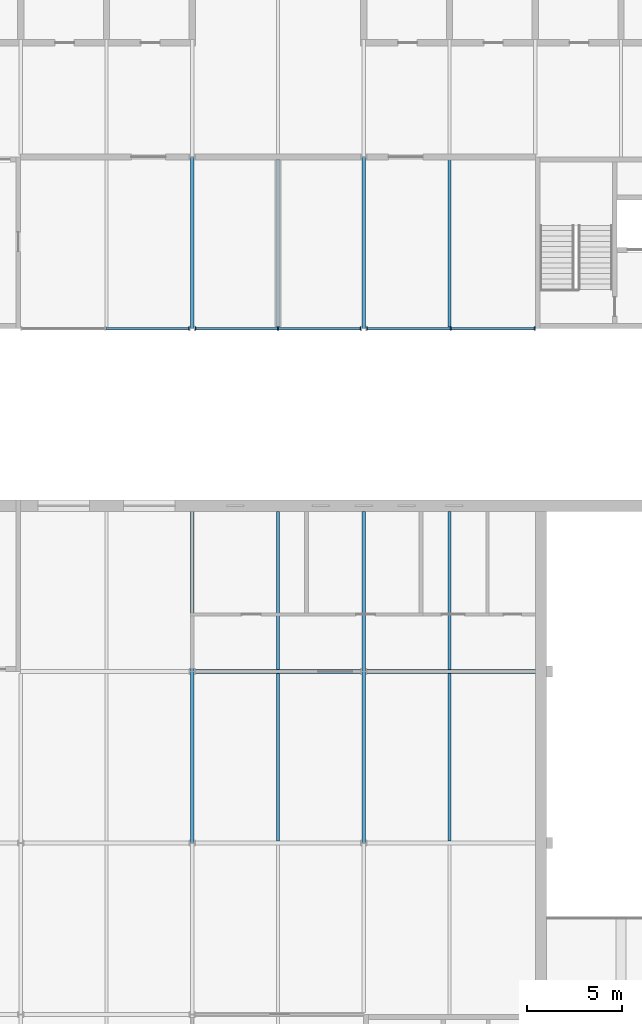
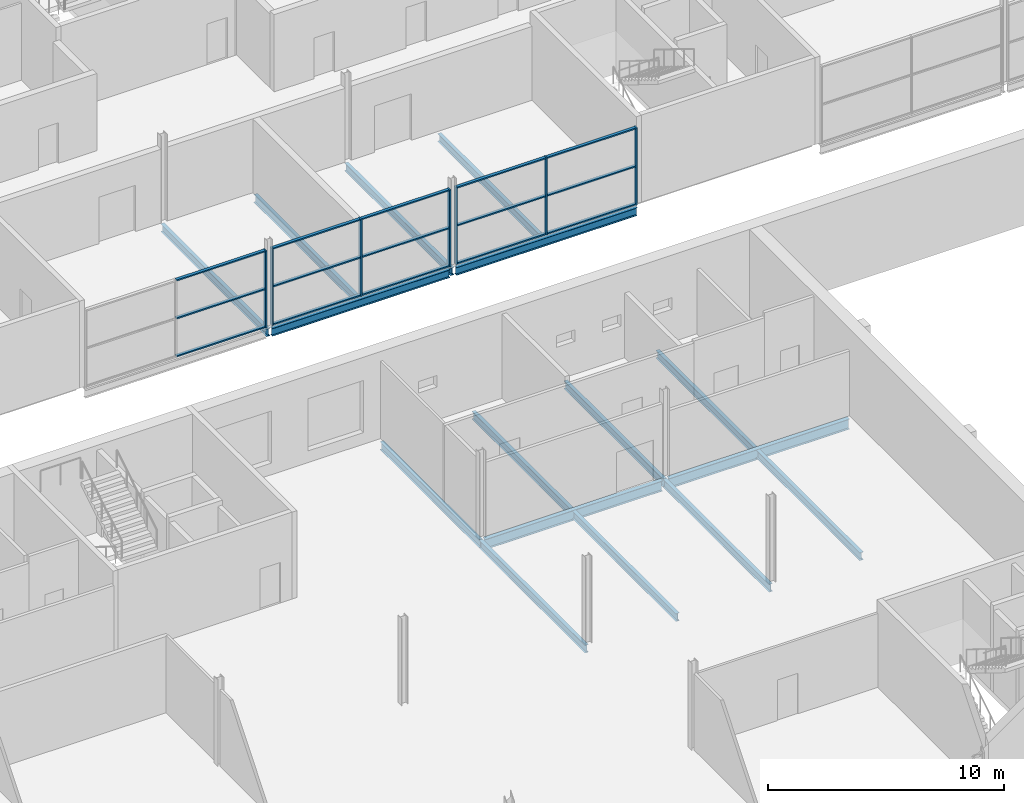
# One storey, part 46 of 97: 22 members, 16 beams, 3 elements without a shape of their own.
"""IFC4 building model written with IfcOpenShell, lengths in metres."""

from ifc_helpers import new_model, si_unit, direction, frame, origin, origin_2d, place, context, subcontext, project, spatial, rectangle, i_section, extrude, material, layer, layer_set, material_profile, profile_set, type_object, element, aggregate, save


model = new_model("IFC4")

# Units and contexts
model_context = context("Model", 3, precision=1e-05, world=origin(), true_north=direction((0.0, 1.0)))
body_context = subcontext(model_context, "Body", "Model", "MODEL_VIEW")
ifc_project = project(units=[si_unit("LENGTHUNIT", "METRE"), si_unit("AREAUNIT", "SQUARE_METRE"), si_unit("VOLUMEUNIT", "CUBIC_METRE"), si_unit("PLANEANGLEUNIT", "RADIAN"), si_unit("MASSUNIT", "GRAM", prefix="KILO")], contexts=[model_context])

# Site, building, storey
site_placement = place(None, origin())
site = spatial("IfcSite", under=ifc_project, at=site_placement, CompositionType="ELEMENT")
building_placement = place(site_placement, origin())
building = spatial("IfcBuilding", under=site, at=building_placement, Name="Corbel Yard City Hall", CompositionType="ELEMENT")
storey_placement = place(building_placement, frame((0.0, 0.0, 6.0)))
storey = spatial("IfcBuildingStorey", under=building, at=storey_placement, Name="L01", CompositionType="ELEMENT", Elevation=6.0)

# Beams
ifc_material_1 = material(Name="Steel Grade 300 (300 MPa yield)", Category="steel")
ifc_material_profile_1 = material_profile(ifc_material_1, i_section(OverallWidth=0.177978515625, OverallDepth=0.403076171875, WebThickness=0.007568359375, FlangeThickness=0.010986328125, at=origin_2d()), Name="410UB53.7")
ifc_profile_set_1 = profile_set([ifc_material_profile_1], Name="Steel Grade 300 (300 MPa yield)")
beam_type_1 = type_object("IfcBeamType", Name="Beam 410UB53.7", PredefinedType="BEAM", material=ifc_profile_set_1)
beam_1_placement = place(storey_placement, frame((99.0, 63.0078125, -0.3515625), z_axis=(0.0, 1.0, 0.0), x_axis=(-1.0, 0.0, 0.0)))
element("IfcBeam", 1, at=beam_1_placement, inside=storey, type_object=beam_type_1, Name="Beam 410UB53.7 SB6 L01floor", PredefinedType="BEAM", context=body_context, shape_type="SweptSolid", body=[
    extrude(i_section(OverallWidth=0.177978515625, OverallDepth=0.403076171875, WebThickness=0.007568359375, FlangeThickness=0.010986328125, at=origin_2d()), origin(), (0.0, 0.0, 1.0), 8.984375),
])
beam_2_placement = place(storey_placement, frame((99.0, 72.0078125, -0.3515625), z_axis=(0.0, 1.0, 0.0), x_axis=(-1.0, 0.0, 0.0)))
element("IfcBeam", 2, at=beam_2_placement, inside=storey, type_object=beam_type_1, Name="Beam 410UB53.7 SB6 L01floor", PredefinedType="BEAM", context=body_context, shape_type="SweptSolid", body=[
    extrude(i_section(OverallWidth=0.177978515625, OverallDepth=0.403076171875, WebThickness=0.007568359375, FlangeThickness=0.010986328125, at=origin_2d()), origin(), (0.0, 0.0, 1.0), 8.39208984375),
])
beam_3_placement = place(storey_placement, frame((99.0, 90.005859375, -0.3515625), z_axis=(0.0, 1.0, 0.0), x_axis=(-1.0, 0.0, 0.0)))
element("IfcBeam", 3, at=beam_3_placement, inside=storey, type_object=beam_type_1, Name="Beam 410UB53.7 SB6 L01floor", PredefinedType="BEAM", context=body_context, shape_type="SweptSolid", body=[
    extrude(i_section(OverallWidth=0.177978515625, OverallDepth=0.403076171875, WebThickness=0.007568359375, FlangeThickness=0.010986328125, at=origin_2d()), origin(), (0.0, 0.0, 1.0), 8.986328125),
])
beam_4_placement = place(storey_placement, frame((108.0, 63.0078125, -0.3515625), z_axis=(0.0, 1.0, 0.0), x_axis=(-1.0, 0.0, 0.0)))
element("IfcBeam", 4, at=beam_4_placement, inside=storey, type_object=beam_type_1, Name="Beam 410UB53.7 SB6 L01floor", PredefinedType="BEAM", context=body_context, shape_type="SweptSolid", body=[
    extrude(i_section(OverallWidth=0.177978515625, OverallDepth=0.403076171875, WebThickness=0.007568359375, FlangeThickness=0.010986328125, at=origin_2d()), origin(), (0.0, 0.0, 1.0), 8.984375),
])
beam_5_placement = place(storey_placement, frame((108.0, 72.0078125, -0.3515625), z_axis=(0.0, 1.0, 0.0), x_axis=(-1.0, 0.0, 0.0)))
element("IfcBeam", 5, at=beam_5_placement, inside=storey, type_object=beam_type_1, Name="Beam 410UB53.7 SB6 L01floor", PredefinedType="BEAM", context=body_context, shape_type="SweptSolid", body=[
    extrude(i_section(OverallWidth=0.177978515625, OverallDepth=0.403076171875, WebThickness=0.007568359375, FlangeThickness=0.010986328125, at=origin_2d()), origin(), (0.0, 0.0, 1.0), 8.39208984375),
])
beam_6_placement = place(storey_placement, frame((108.0, 90.005859375, -0.3515625), z_axis=(0.0, 1.0, 0.0), x_axis=(-1.0, 0.0, 0.0)))
element("IfcBeam", 6, at=beam_6_placement, inside=storey, type_object=beam_type_1, Name="Beam 410UB53.7 SB6 L01floor", PredefinedType="BEAM", context=body_context, shape_type="SweptSolid", body=[
    extrude(i_section(OverallWidth=0.177978515625, OverallDepth=0.403076171875, WebThickness=0.007568359375, FlangeThickness=0.010986328125, at=origin_2d()), origin(), (0.0, 0.0, 1.0), 8.986328125),
])
ifc_material_profile_2 = material_profile(ifc_material_1, i_section(OverallWidth=0.177978515625, OverallDepth=0.406005859375, WebThickness=0.0078125, FlangeThickness=0.0126953125, at=origin_2d()), Name="410UB59.7")
ifc_profile_set_2 = profile_set([ifc_material_profile_2], Name="Steel Grade 300 (300 MPa yield)")
beam_type_2 = type_object("IfcBeamType", Name="Edge beam 410UB59.7", PredefinedType="BEAM", material=ifc_profile_set_2)
beam_7_placement = place(storey_placement, frame((99.157470703125, 90.0, -0.35302734375), z_axis=(1.0, 0.0, 0.0), x_axis=(0.0, 1.0, 0.0)))
element("IfcBeam", 7, at=beam_7_placement, inside=storey, type_object=beam_type_2, Name="Edge beam 410UB59.7 EB2 L01floor", PredefinedType="BEAM", context=body_context, shape_type="SweptSolid", body=[
    extrude(i_section(OverallWidth=0.177978515625, OverallDepth=0.406005859375, WebThickness=0.0078125, FlangeThickness=0.0126953125, at=origin_2d()), origin(), (0.0, 0.0, 1.0), 8.68505859375),
])
beam_8_placement = place(storey_placement, frame((108.157470703125, 90.0, -0.35302734375), z_axis=(1.0, 0.0, 0.0), x_axis=(0.0, 1.0, 0.0)))
element("IfcBeam", 8, at=beam_8_placement, inside=storey, type_object=beam_type_2, Name="Edge beam 410UB59.7 EB2 L01floor", PredefinedType="BEAM", context=body_context, shape_type="SweptSolid", body=[
    extrude(i_section(OverallWidth=0.177978515625, OverallDepth=0.406005859375, WebThickness=0.0078125, FlangeThickness=0.0126953125, at=origin_2d()), origin(), (0.0, 0.0, 1.0), 8.842529296875),
])
ifc_material_profile_3 = material_profile(ifc_material_1, i_section(OverallWidth=0.208984375, OverallDepth=0.528076171875, WebThickness=0.009521484375, FlangeThickness=0.01318359375, at=origin_2d()), Name="530UB82.0")
ifc_profile_set_3 = profile_set([ifc_material_profile_3], Name="Steel Grade 300 (300 MPa yield)")
beam_type_3 = type_object("IfcBeamType", Name="Girder 530UB82.0", PredefinedType="BEAM", material=ifc_profile_set_3)
beam_9_placement = place(storey_placement, frame((99.16357421875, 72.0, -0.4140625), z_axis=(1.0, 0.0, 0.0), x_axis=(0.0, 1.0, 0.0)))
element("IfcBeam", 9, at=beam_9_placement, inside=storey, type_object=beam_type_3, Name="Girder 530UB82.0 GB3 L01floor", PredefinedType="BEAM", context=body_context, shape_type="SweptSolid", body=[
    extrude(i_section(OverallWidth=0.208984375, OverallDepth=0.528076171875, WebThickness=0.009521484375, FlangeThickness=0.01318359375, at=origin_2d()), origin(), (0.0, 0.0, 1.0), 8.6728515625),
])
beam_10_placement = place(storey_placement, frame((108.16357421875, 72.0, -0.4140625), z_axis=(1.0, 0.0, 0.0), x_axis=(0.0, 1.0, 0.0)))
element("IfcBeam", 10, at=beam_10_placement, inside=storey, type_object=beam_type_3, Name="Girder 530UB82.0 GB3 L01floor", PredefinedType="BEAM", context=body_context, shape_type="SweptSolid", body=[
    extrude(i_section(OverallWidth=0.208984375, OverallDepth=0.528076171875, WebThickness=0.009521484375, FlangeThickness=0.01318359375, at=origin_2d()), origin(), (0.0, 0.0, 1.0), 8.83642578125),
])

# Curtain wall, member
ifc_material_2 = material(Name="Aluminium extrusion", Category="aluminium")
ifc_layer = layer(ifc_material_2, 0.199951171875)
ifc_layer_set = layer_set([ifc_layer], Name="Aluminium extrusion")
curtain_wall_type = type_object("IfcCurtainWallType", Name="CW1", PredefinedType="USERDEFINED", material=ifc_layer_set)
curtain_wall_1_placement = place(storey_placement, origin())
curtain_wall_1 = element("IfcCurtainWall", 11, at=curtain_wall_1_placement, inside=storey, type_object=curtain_wall_type, Name="Curtain wall CW1 L01", ObjectType="CURTAIN WALL", PredefinedType="USERDEFINED")
ifc_material_profile_4 = material_profile(ifc_material_2, rectangle(XDim=0.199951171875, YDim=0.06494140625, at=origin_2d()), Name="200x65")
ifc_profile_set_4 = profile_set([ifc_material_profile_4], Name="Aluminium extrusion")
member_type_1 = type_object("IfcMemberType", Name="ML1", PredefinedType="MULLION", material=ifc_profile_set_4)
member_1_placement = place(storey_placement, frame((98.83740234375, 90.0, 0.0), z_axis=(0.0, 0.0, 1.0), x_axis=(0.0, 1.0, 0.0)))
member_1 = element("IfcMember", 12, at=member_1_placement, type_object=member_type_1, Name="CW1 mullion 3", PredefinedType="MULLION", context=body_context, shape_type="SweptSolid", body=[
    extrude(rectangle(XDim=0.199951171875, YDim=0.06494140625, at=origin_2d()), origin(), (0.0, 0.0, 1.0), 3.990966796875),
])

# Curtain wall, members
curtain_wall_2_placement = place(storey_placement, origin())
curtain_wall_2 = element("IfcCurtainWall", 13, at=curtain_wall_2_placement, inside=storey, type_object=curtain_wall_type, Name="Curtain wall CW1 L01", ObjectType="CURTAIN WALL", PredefinedType="USERDEFINED")
member_2_placement = place(storey_placement, frame((99.16259765625, 90.0, 0.0), z_axis=(0.0, 0.0, 1.0), x_axis=(0.0, 1.0, 0.0)))
member_2 = element("IfcMember", 14, at=member_2_placement, type_object=member_type_1, Name="CW1 mullion 1", PredefinedType="MULLION", context=body_context, shape_type="SweptSolid", body=[
    extrude(rectangle(XDim=0.199951171875, YDim=0.06494140625, at=origin_2d()), origin(), (0.0, 0.0, 1.0), 3.990966796875),
])
member_3_placement = place(storey_placement, frame((103.5, 90.0, 0.0), z_axis=(0.0, 0.0, 1.0), x_axis=(0.0, 1.0, 0.0)))
member_3 = element("IfcMember", 15, at=member_3_placement, type_object=member_type_1, Name="CW1 mullion 2", PredefinedType="MULLION", context=body_context, shape_type="SweptSolid", body=[
    extrude(rectangle(XDim=0.199951171875, YDim=0.06494140625, at=origin_2d()), origin(), (0.0, 0.0, 1.0), 3.990966796875),
])
member_4_placement = place(storey_placement, frame((107.83740234375, 90.0, 0.0), z_axis=(0.0, 0.0, 1.0), x_axis=(0.0, 1.0, 0.0)))
member_4 = element("IfcMember", 16, at=member_4_placement, type_object=member_type_1, Name="CW1 mullion 3", PredefinedType="MULLION", context=body_context, shape_type="SweptSolid", body=[
    extrude(rectangle(XDim=0.199951171875, YDim=0.06494140625, at=origin_2d()), origin(), (0.0, 0.0, 1.0), 3.990966796875),
])

curtain_wall_3_placement = place(storey_placement, origin())
curtain_wall_3 = element("IfcCurtainWall", 17, at=curtain_wall_3_placement, inside=storey, type_object=curtain_wall_type, Name="Curtain wall CW1 L01", ObjectType="CURTAIN WALL", PredefinedType="USERDEFINED")
member_5_placement = place(storey_placement, frame((108.16259765625, 90.0, 0.0), z_axis=(0.0, 0.0, 1.0), x_axis=(0.0, 1.0, 0.0)))
member_5 = element("IfcMember", 18, at=member_5_placement, type_object=member_type_1, Name="CW1 mullion 1", PredefinedType="MULLION", context=body_context, shape_type="SweptSolid", body=[
    extrude(rectangle(XDim=0.199951171875, YDim=0.06494140625, at=origin_2d()), origin(), (0.0, 0.0, 1.0), 3.990966796875),
])
member_6_placement = place(storey_placement, frame((112.56494140625, 90.0, 0.0), z_axis=(0.0, 0.0, 1.0), x_axis=(0.0, 1.0, 0.0)))
member_6 = element("IfcMember", 19, at=member_6_placement, type_object=member_type_1, Name="CW1 mullion 2", PredefinedType="MULLION", context=body_context, shape_type="SweptSolid", body=[
    extrude(rectangle(XDim=0.199951171875, YDim=0.06494140625, at=origin_2d()), origin(), (0.0, 0.0, 1.0), 3.990966796875),
])
member_7_placement = place(storey_placement, frame((116.967529296875, 90.0, 0.0), z_axis=(0.0, 0.0, 1.0), x_axis=(0.0, 1.0, 0.0)))
member_7 = element("IfcMember", 20, at=member_7_placement, type_object=member_type_1, Name="CW1 mullion 3", PredefinedType="MULLION", context=body_context, shape_type="SweptSolid", body=[
    extrude(rectangle(XDim=0.199951171875, YDim=0.06494140625, at=origin_2d()), origin(), (0.0, 0.0, 1.0), 3.990966796875),
])

# Beams
ifc_material_profile_5 = material_profile(ifc_material_1, i_section(OverallWidth=0.177978515625, OverallDepth=0.403076171875, WebThickness=0.007568359375, FlangeThickness=0.010986328125, at=origin_2d()), Name="410UB53.7")
ifc_profile_set_5 = profile_set([ifc_material_profile_5], Name="Steel Grade 300 (300 MPa yield)")
beam_type_4 = type_object("IfcBeamType", Name="Secondary beam 410UB53.7", PredefinedType="JOIST", material=ifc_profile_set_5)
beam_11_placement = place(storey_placement, frame((103.5, 63.1044921875, -0.3515625), z_axis=(0.0, 1.0, 0.0), x_axis=(-1.0, 0.0, 0.0)))
element("IfcBeam", 21, at=beam_11_placement, inside=storey, type_object=beam_type_4, Name="Secondary beam 410UB53.7 SB5 L01floor", PredefinedType="JOIST", context=body_context, shape_type="SweptSolid", body=[
    extrude(i_section(OverallWidth=0.177978515625, OverallDepth=0.403076171875, WebThickness=0.007568359375, FlangeThickness=0.010986328125, at=origin_2d()), origin(), (0.0, 0.0, 1.0), 8.791015625),
])
beam_12_placement = place(storey_placement, frame((103.5, 72.1044921875, -0.3515625), z_axis=(0.0, 1.0, 0.0), x_axis=(-1.0, 0.0, 0.0)))
element("IfcBeam", 22, at=beam_12_placement, inside=storey, type_object=beam_type_4, Name="Secondary beam 410UB53.7 SB5 L01floor", PredefinedType="JOIST", context=body_context, shape_type="SweptSolid", body=[
    extrude(i_section(OverallWidth=0.177978515625, OverallDepth=0.403076171875, WebThickness=0.007568359375, FlangeThickness=0.010986328125, at=origin_2d()), origin(), (0.0, 0.0, 1.0), 8.29541015625),
])
beam_13_placement = place(storey_placement, frame((103.5, 90.089111328125, -0.3515625), z_axis=(0.0, 1.0, 0.0), x_axis=(-1.0, 0.0, 0.0)))
element("IfcBeam", 23, at=beam_13_placement, inside=storey, type_object=beam_type_4, Name="Secondary beam 410UB53.7 SB5 L01floor", PredefinedType="JOIST", context=body_context, shape_type="SweptSolid", body=[
    extrude(i_section(OverallWidth=0.177978515625, OverallDepth=0.403076171875, WebThickness=0.007568359375, FlangeThickness=0.010986328125, at=origin_2d()), origin(), (0.0, 0.0, 1.0), 8.806396484375),
])
beam_14_placement = place(storey_placement, frame((112.5, 63.1044921875, -0.3515625), z_axis=(0.0, 1.0, 0.0), x_axis=(-1.0, 0.0, 0.0)))
element("IfcBeam", 24, at=beam_14_placement, inside=storey, type_object=beam_type_4, Name="Secondary beam 410UB53.7 SB5 L01floor", PredefinedType="JOIST", context=body_context, shape_type="SweptSolid", body=[
    extrude(i_section(OverallWidth=0.177978515625, OverallDepth=0.403076171875, WebThickness=0.007568359375, FlangeThickness=0.010986328125, at=origin_2d()), origin(), (0.0, 0.0, 1.0), 8.791015625),
])
beam_15_placement = place(storey_placement, frame((112.5, 72.1044921875, -0.3515625), z_axis=(0.0, 1.0, 0.0), x_axis=(-1.0, 0.0, 0.0)))
element("IfcBeam", 25, at=beam_15_placement, inside=storey, type_object=beam_type_4, Name="Secondary beam 410UB53.7 SB5 L01floor", PredefinedType="JOIST", context=body_context, shape_type="SweptSolid", body=[
    extrude(i_section(OverallWidth=0.177978515625, OverallDepth=0.403076171875, WebThickness=0.007568359375, FlangeThickness=0.010986328125, at=origin_2d()), origin(), (0.0, 0.0, 1.0), 8.29541015625),
])
beam_16_placement = place(storey_placement, frame((112.5, 90.089111328125, -0.3515625), z_axis=(0.0, 1.0, 0.0), x_axis=(-1.0, 0.0, 0.0)))
element("IfcBeam", 26, at=beam_16_placement, inside=storey, type_object=beam_type_4, Name="Secondary beam 410UB53.7 SB5 L01floor", PredefinedType="JOIST", context=body_context, shape_type="SweptSolid", body=[
    extrude(i_section(OverallWidth=0.177978515625, OverallDepth=0.403076171875, WebThickness=0.007568359375, FlangeThickness=0.010986328125, at=origin_2d()), origin(), (0.0, 0.0, 1.0), 8.806396484375),
])

# Member
ifc_material_profile_6 = material_profile(ifc_material_2, rectangle(XDim=0.14990234375, YDim=0.06494140625, at=origin_2d()), Name="150x65")
ifc_profile_set_6 = profile_set([ifc_material_profile_6], Name="Aluminium extrusion")
member_type_2 = type_object("IfcMemberType", Name="TR1", PredefinedType="USERDEFINED", material=ifc_profile_set_6)
member_8_placement = place(storey_placement, frame((94.467529296875, 90.0, 0.032470703125), z_axis=(1.0, 0.0, 0.0), x_axis=(0.0, 1.0, 0.0)))
member_8 = element("IfcMember", 27, at=member_8_placement, type_object=member_type_2, Name="CW1 transom 2.1", ObjectType="TRANSOM", PredefinedType="USERDEFINED", context=body_context, shape_type="SweptSolid", body=[
    extrude(rectangle(XDim=0.14990234375, YDim=0.06494140625, at=origin_2d()), origin(), (0.0, 0.0, 1.0), 4.33740234375),
])

member_9_placement = place(storey_placement, frame((94.467529296875, 90.0, 1.99560546875), z_axis=(1.0, 0.0, 0.0), x_axis=(0.0, 1.0, 0.0)))
member_9 = element("IfcMember", 28, at=member_9_placement, type_object=member_type_2, Name="CW1 transom 2.2", ObjectType="TRANSOM", PredefinedType="USERDEFINED", context=body_context, shape_type="SweptSolid", body=[
    extrude(rectangle(XDim=0.14990234375, YDim=0.06494140625, at=origin_2d()), origin(), (0.0, 0.0, 1.0), 4.33740234375),
])

member_10_placement = place(storey_placement, frame((94.467529296875, 90.0, 3.95849609375), z_axis=(1.0, 0.0, 0.0), x_axis=(0.0, 1.0, 0.0)))
member_10 = element("IfcMember", 29, at=member_10_placement, type_object=member_type_2, Name="CW1 transom 2.3", ObjectType="TRANSOM", PredefinedType="USERDEFINED", context=body_context, shape_type="SweptSolid", body=[
    extrude(rectangle(XDim=0.14990234375, YDim=0.06494140625, at=origin_2d()), origin(), (0.0, 0.0, 1.0), 4.33740234375),
])

aggregate(curtain_wall_1, [member_1, member_8, member_9, member_10])

member_11_placement = place(storey_placement, frame((99.195068359375, 90.0, 0.032470703125), z_axis=(1.0, 0.0, 0.0), x_axis=(0.0, 1.0, 0.0)))
member_11 = element("IfcMember", 30, at=member_11_placement, type_object=member_type_2, Name="CW1 transom 1.1", ObjectType="TRANSOM", PredefinedType="USERDEFINED", context=body_context, shape_type="SweptSolid", body=[
    extrude(rectangle(XDim=0.14990234375, YDim=0.06494140625, at=origin_2d()), origin(), (0.0, 0.0, 1.0), 4.2724609375),
])

member_12_placement = place(storey_placement, frame((99.195068359375, 90.0, 1.99560546875), z_axis=(1.0, 0.0, 0.0), x_axis=(0.0, 1.0, 0.0)))
member_12 = element("IfcMember", 31, at=member_12_placement, type_object=member_type_2, Name="CW1 transom 1.2", ObjectType="TRANSOM", PredefinedType="USERDEFINED", context=body_context, shape_type="SweptSolid", body=[
    extrude(rectangle(XDim=0.14990234375, YDim=0.06494140625, at=origin_2d()), origin(), (0.0, 0.0, 1.0), 4.2724609375),
])

member_13_placement = place(storey_placement, frame((99.195068359375, 90.0, 3.95849609375), z_axis=(1.0, 0.0, 0.0), x_axis=(0.0, 1.0, 0.0)))
member_13 = element("IfcMember", 32, at=member_13_placement, type_object=member_type_2, Name="CW1 transom 1.3", ObjectType="TRANSOM", PredefinedType="USERDEFINED", context=body_context, shape_type="SweptSolid", body=[
    extrude(rectangle(XDim=0.14990234375, YDim=0.06494140625, at=origin_2d()), origin(), (0.0, 0.0, 1.0), 4.2724609375),
])

member_14_placement = place(storey_placement, frame((103.532470703125, 90.0, 0.032470703125), z_axis=(1.0, 0.0, 0.0), x_axis=(0.0, 1.0, 0.0)))
member_14 = element("IfcMember", 33, at=member_14_placement, type_object=member_type_2, Name="CW1 transom 2.1", ObjectType="TRANSOM", PredefinedType="USERDEFINED", context=body_context, shape_type="SweptSolid", body=[
    extrude(rectangle(XDim=0.14990234375, YDim=0.06494140625, at=origin_2d()), origin(), (0.0, 0.0, 1.0), 4.2724609375),
])

member_15_placement = place(storey_placement, frame((103.532470703125, 90.0, 1.99560546875), z_axis=(1.0, 0.0, 0.0), x_axis=(0.0, 1.0, 0.0)))
member_15 = element("IfcMember", 34, at=member_15_placement, type_object=member_type_2, Name="CW1 transom 2.2", ObjectType="TRANSOM", PredefinedType="USERDEFINED", context=body_context, shape_type="SweptSolid", body=[
    extrude(rectangle(XDim=0.14990234375, YDim=0.06494140625, at=origin_2d()), origin(), (0.0, 0.0, 1.0), 4.2724609375),
])

member_16_placement = place(storey_placement, frame((103.532470703125, 90.0, 3.95849609375), z_axis=(1.0, 0.0, 0.0), x_axis=(0.0, 1.0, 0.0)))
member_16 = element("IfcMember", 35, at=member_16_placement, type_object=member_type_2, Name="CW1 transom 2.3", ObjectType="TRANSOM", PredefinedType="USERDEFINED", context=body_context, shape_type="SweptSolid", body=[
    extrude(rectangle(XDim=0.14990234375, YDim=0.06494140625, at=origin_2d()), origin(), (0.0, 0.0, 1.0), 4.2724609375),
])

aggregate(curtain_wall_2, [member_2, member_3, member_4, member_11, member_12, member_13, member_14, member_15, member_16])

member_17_placement = place(storey_placement, frame((108.195068359375, 90.0, 0.032470703125), z_axis=(1.0, 0.0, 0.0), x_axis=(0.0, 1.0, 0.0)))
member_17 = element("IfcMember", 36, at=member_17_placement, type_object=member_type_2, Name="CW1 transom 1.1", ObjectType="TRANSOM", PredefinedType="USERDEFINED", context=body_context, shape_type="SweptSolid", body=[
    extrude(rectangle(XDim=0.14990234375, YDim=0.06494140625, at=origin_2d()), origin(), (0.0, 0.0, 1.0), 4.33740234375),
])

member_18_placement = place(storey_placement, frame((108.195068359375, 90.0, 1.99560546875), z_axis=(1.0, 0.0, 0.0), x_axis=(0.0, 1.0, 0.0)))
member_18 = element("IfcMember", 37, at=member_18_placement, type_object=member_type_2, Name="CW1 transom 1.2", ObjectType="TRANSOM", PredefinedType="USERDEFINED", context=body_context, shape_type="SweptSolid", body=[
    extrude(rectangle(XDim=0.14990234375, YDim=0.06494140625, at=origin_2d()), origin(), (0.0, 0.0, 1.0), 4.33740234375),
])

member_19_placement = place(storey_placement, frame((108.195068359375, 90.0, 3.95849609375), z_axis=(1.0, 0.0, 0.0), x_axis=(0.0, 1.0, 0.0)))
member_19 = element("IfcMember", 38, at=member_19_placement, type_object=member_type_2, Name="CW1 transom 1.3", ObjectType="TRANSOM", PredefinedType="USERDEFINED", context=body_context, shape_type="SweptSolid", body=[
    extrude(rectangle(XDim=0.14990234375, YDim=0.06494140625, at=origin_2d()), origin(), (0.0, 0.0, 1.0), 4.33740234375),
])

member_20_placement = place(storey_placement, frame((112.597412109375, 90.0, 0.032470703125), z_axis=(1.0, 0.0, 0.0), x_axis=(0.0, 1.0, 0.0)))
member_20 = element("IfcMember", 39, at=member_20_placement, type_object=member_type_2, Name="CW1 transom 2.1", ObjectType="TRANSOM", PredefinedType="USERDEFINED", context=body_context, shape_type="SweptSolid", body=[
    extrude(rectangle(XDim=0.14990234375, YDim=0.06494140625, at=origin_2d()), origin(), (0.0, 0.0, 1.0), 4.337646484375),
])

member_21_placement = place(storey_placement, frame((112.597412109375, 90.0, 1.99560546875), z_axis=(1.0, 0.0, 0.0), x_axis=(0.0, 1.0, 0.0)))
member_21 = element("IfcMember", 40, at=member_21_placement, type_object=member_type_2, Name="CW1 transom 2.2", ObjectType="TRANSOM", PredefinedType="USERDEFINED", context=body_context, shape_type="SweptSolid", body=[
    extrude(rectangle(XDim=0.14990234375, YDim=0.06494140625, at=origin_2d()), origin(), (0.0, 0.0, 1.0), 4.337646484375),
])

member_22_placement = place(storey_placement, frame((112.597412109375, 90.0, 3.95849609375), z_axis=(1.0, 0.0, 0.0), x_axis=(0.0, 1.0, 0.0)))
member_22 = element("IfcMember", 41, at=member_22_placement, type_object=member_type_2, Name="CW1 transom 2.3", ObjectType="TRANSOM", PredefinedType="USERDEFINED", context=body_context, shape_type="SweptSolid", body=[
    extrude(rectangle(XDim=0.14990234375, YDim=0.06494140625, at=origin_2d()), origin(), (0.0, 0.0, 1.0), 4.337646484375),
])

aggregate(curtain_wall_3, [member_5, member_6, member_7, member_17, member_18, member_19, member_20, member_21, member_22])

save(model, "model.ifc")
